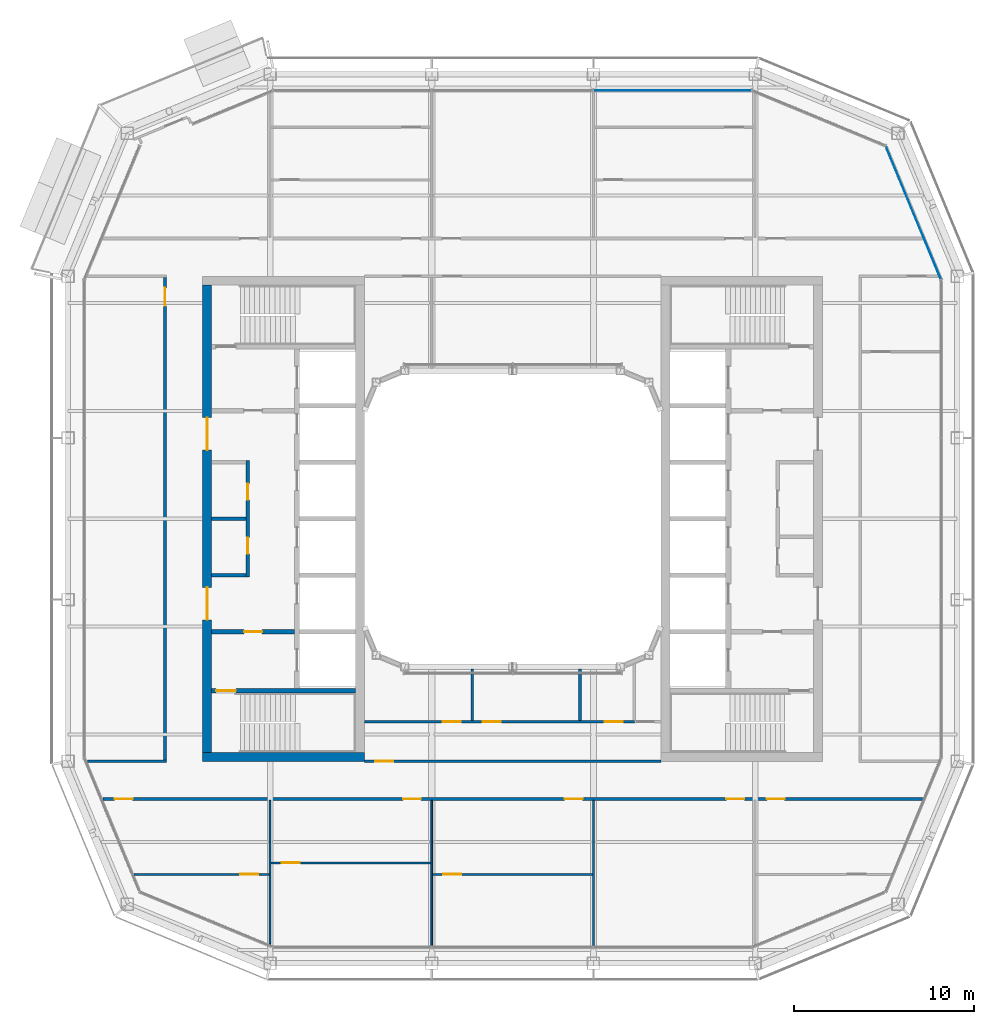
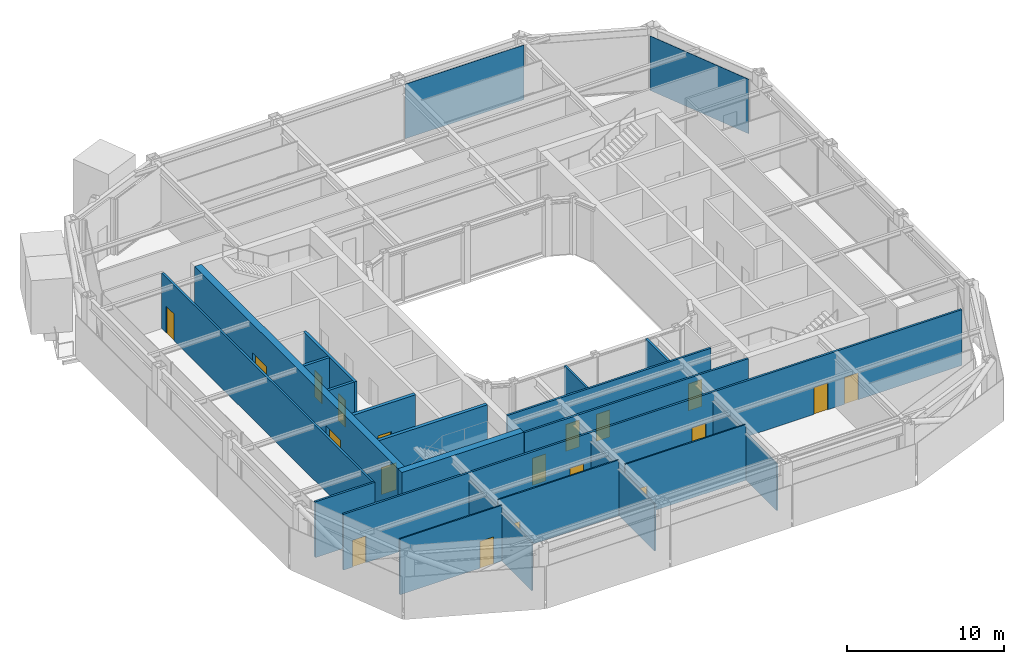
# One storey, part 12 of 22: 20 walls, 19 doors, 2 plates, 19 openings, 2 elements without a shape of their own.
"""IFC4 building model written with IfcOpenShell, lengths in metres."""

from ifc_helpers import new_model, si_unit, direction, frame, frame_2d, origin, origin_2d, place, context, subcontext, project, spatial, rectangle, extrude, material, layer, layer_set, type_object, element, fill, aggregate, save


model = new_model("IFC4")

# Units and contexts
model_context = context("Model", 3, precision=1e-05, world=origin(), true_north=direction((0.0, 1.0)))
body_context = subcontext(model_context, "Body", "Model", "MODEL_VIEW")
ifc_project = project(units=[si_unit("LENGTHUNIT", "METRE"), si_unit("AREAUNIT", "SQUARE_METRE"), si_unit("VOLUMEUNIT", "CUBIC_METRE"), si_unit("PLANEANGLEUNIT", "RADIAN"), si_unit("MASSUNIT", "GRAM", prefix="KILO")], contexts=[model_context])

# Site, building, storey
site_placement = place(None, origin())
site = spatial("IfcSite", under=ifc_project, at=site_placement, CompositionType="ELEMENT")
building_placement = place(site_placement, origin())
building = spatial("IfcBuilding", under=site, at=building_placement, Name="Siwar Civic Tower", CompositionType="ELEMENT")
storey_placement = place(building_placement, frame((0.0, 0.0, 330.199951171875)))
storey = spatial("IfcBuildingStorey", under=building, at=storey_placement, Name="L71", CompositionType="ELEMENT", Elevation=330.199951171875)

# Curtain wall, plate
ifc_material_1 = material(Name="Aluminium and glass", Category="aluminium")
ifc_layer_1 = layer(ifc_material_1, 0.159912109375)
ifc_layer_set_1 = layer_set([ifc_layer_1], Name="Aluminium and glass")
curtain_wall_type_1 = type_object("IfcCurtainWallType", Name="ENV-CW-D", PredefinedType="NOTDEFINED", material=ifc_layer_set_1)
curtain_wall_1_placement = place(storey_placement, origin())
curtain_wall_1 = element("IfcCurtainWall", 1, at=curtain_wall_1_placement, inside=storey, type_object=curtain_wall_type_1, Name="Curtain wall D N", PredefinedType="NOTDEFINED")
ifc_material_2 = material(Name="Glass clear laminated", Category="glass")
ifc_layer_2 = layer(ifc_material_2, 0.030029296875)
ifc_layer_set_2 = layer_set([ifc_layer_2], Name="Glass clear laminated")
plate_type_1 = type_object("IfcPlateType", Name="ENV-PANEL-D", PredefinedType="CURTAIN_PANEL", material=ifc_layer_set_2)
plate_1_placement = place(storey_placement, frame((8.910400390625, 23.85009765625, 0.10009765625), z_axis=(0.0, 0.0, 1.0), x_axis=(-1.0, 0.0, 0.0)))
plate_1 = element("IfcPlate", 2, at=plate_1_placement, type_object=plate_type_1, Name="Curtain panel D N 1", PredefinedType="CURTAIN_PANEL", context=body_context, shape_type="SweptSolid", body=[
    extrude(rectangle(XDim=8.760986328125, YDim=0.030029296875, at=origin_2d()), origin(), (0.0, 0.0, 1.0), 4.25),
])
aggregate(curtain_wall_1, [plate_1])

ifc_material_3 = material(Name="Aluminium clad insulated panel", Category="aluminium")
ifc_layer_3 = layer(ifc_material_3, 0.159912109375)
ifc_layer_set_3 = layer_set([ifc_layer_3], Name="Aluminium clad insulated panel")
curtain_wall_type_2 = type_object("IfcCurtainWallType", Name="ENV-CW-DX", PredefinedType="NOTDEFINED", material=ifc_layer_set_3)
curtain_wall_2_placement = place(storey_placement, origin())
curtain_wall_2 = element("IfcCurtainWall", 3, at=curtain_wall_2_placement, inside=storey, type_object=curtain_wall_type_2, Name="Curtain wall D NE1", PredefinedType="NOTDEFINED")
ifc_material_4 = material(Name="Aluminium clad insulated panel", Category="aluminium")
ifc_layer_4 = layer(ifc_material_4, 0.030029296875)
ifc_layer_set_4 = layer_set([ifc_layer_4], Name="Aluminium clad insulated panel")
plate_type_2 = type_object("IfcPlateType", Name="ENV-PANEL-DX", PredefinedType="CURTAIN_PANEL", material=ifc_layer_set_4)
plate_2_placement = place(storey_placement, frame((22.321044921875, 17.01220703125, 0.10009765625), z_axis=(0.0, 0.0, 1.0), x_axis=(-0.382683432365, 0.923879532511, 0.0)))
plate_2 = element("IfcPlate", 4, at=plate_2_placement, type_object=plate_type_2, Name="Curtain panel D NE1 1", PredefinedType="CURTAIN_PANEL", context=body_context, shape_type="SweptSolid", body=[
    extrude(rectangle(XDim=7.9306640625, YDim=0.030029296875, at=origin_2d()), origin(), (0.0, 0.0, 1.0), 4.25),
])
aggregate(curtain_wall_2, [plate_2])

# Wall, openings, doors
ifc_material_5 = material(Name="Gypsum board on steel studs", Category="steel")
ifc_layer_5 = layer(ifc_material_5, 0.199951171875)
ifc_layer_set_5 = layer_set([ifc_layer_5], Name="Gypsum board on steel studs")
wall_type_1 = type_object("IfcWallType", Name="CORE-PARTITION-200", PredefinedType="PARTITIONING", material=ifc_layer_set_5)
wall_1_placement = place(storey_placement, frame((-14.75, -3.25, 0.0), z_axis=(0.0, 0.0, 1.0), x_axis=(0.0, 1.0, 0.0)))
wall_1 = element("IfcWall", 5, at=wall_1_placement, inside=storey, type_object=wall_type_1, Name="Core partition W", PredefinedType="PARTITIONING", context=body_context, shape_type="SweptSolid", body=[
    extrude(rectangle(XDim=6.5, YDim=0.199951171875, at=frame_2d((3.25, 0.0))), origin(), (0.0, 0.0, 1.0), 4.35009765625),
])
opening_1_placement = place(wall_1_placement, frame((1.300048828125, 0.0, 0.0)))
opening_1 = element("IfcOpeningElement", 6, at=opening_1_placement, cuts=wall_1, Name="Opening L71-CW13", PredefinedType="OPENING", context=body_context, shape_type="SweptSolid", body=[
    extrude(rectangle(XDim=0.89990234375, YDim=2.10009765625, at=frame_2d((0.449951171875, 1.050048828125))), frame((0.0, 0.10986328125, 0.0), z_axis=(0.0, -1.0, 0.0), x_axis=(1.0, 0.0, 0.0)), (0.0, 0.0, 1.0), 0.219970703125),
])
opening_2_placement = place(wall_1_placement, frame((4.300048828125, 0.0, 0.0)))
opening_2 = element("IfcOpeningElement", 7, at=opening_2_placement, cuts=wall_1, Name="Opening L71-CW14", PredefinedType="OPENING", context=body_context, shape_type="SweptSolid", body=[
    extrude(rectangle(XDim=0.89990234375, YDim=2.10009765625, at=frame_2d((0.449951171875, 1.050048828125))), frame((0.0, 0.10986328125, 0.0), z_axis=(0.0, -1.0, 0.0), x_axis=(1.0, 0.0, 0.0)), (0.0, 0.0, 1.0), 0.219970703125),
])
ifc_material_6 = material(Name="Steel door leaf", Category="steel")
door_type_1 = type_object("IfcDoorType", Name="CORE-DOOR-ROOM", OperationType="SINGLE_SWING_LEFT", PredefinedType="DOOR", material=ifc_material_6)
door_1_placement = place(opening_1_placement, origin())
door_1 = element("IfcDoor", 8, at=door_1_placement, inside=storey, type_object=door_type_1, Name="Core room door L71-CW13", OperationType="SINGLE_SWING_LEFT", OverallHeight=2.10009765625, OverallWidth=0.89990234375, PredefinedType="DOOR", context=body_context, shape_type="SweptSolid", body=[
    extrude(rectangle(XDim=0.89990234375, YDim=2.10009765625, at=frame_2d((0.449951171875, 1.050048828125))), frame((0.0, 0.02490234375, 0.0), z_axis=(0.0, -1.0, 0.0), x_axis=(1.0, 0.0, 0.0)), (0.0, 0.0, 1.0), 0.050048828125),
])
fill(opening_1, door_1)
door_2_placement = place(opening_2_placement, origin())
door_2 = element("IfcDoor", 9, at=door_2_placement, inside=storey, type_object=door_type_1, Name="Core room door L71-CW14", OperationType="SINGLE_SWING_RIGHT", OverallHeight=2.10009765625, OverallWidth=0.89990234375, PredefinedType="DOOR", context=body_context, shape_type="SweptSolid", body=[
    extrude(rectangle(XDim=0.89990234375, YDim=2.10009765625, at=frame_2d((0.449951171875, 1.050048828125))), frame((0.0, 0.02490234375, 0.0), z_axis=(0.0, -1.0, 0.0), x_axis=(1.0, 0.0, 0.0)), (0.0, 0.0, 1.0), 0.050048828125),
])
fill(opening_2, door_2)

# Walls
for number, where, z_axis, x_axis, name in (
    (10, (-14.85009765625, -3.14990234375, 0.0), (0.0, 0.0, 1.0), (-1.0, 0.0, 0.0), "Core partition W"),
    (11, (-14.85009765625, 0.0, 0.0), (0.0, 0.0, 1.0), (-1.0, 0.0, 0.0), "Core partition W"),
):
    element("IfcWall", number, at=place(storey_placement, frame(where, z_axis=z_axis, x_axis=x_axis)), inside=storey, type_object=wall_type_1, Name=name, PredefinedType="PARTITIONING", context=body_context, shape_type="SweptSolid", body=[
        extrude(rectangle(XDim=1.89990234375, YDim=0.199951171875, at=frame_2d((0.949951171875, 0.0))), origin(), (0.0, 0.0, 1.0), 4.35009765625),
    ])

# Wall, opening, door
ifc_material_7 = material(Name="Concrete C60/75", Category="concrete")
ifc_layer_6 = layer(ifc_material_7, 0.25)
ifc_layer_set_6 = layer_set([ifc_layer_6], Name="Concrete C60/75")
wall_type_2 = type_object("IfcWallType", Name="CORE-WALL-RC250", PredefinedType="SHEAR", material=ifc_layer_set_6)
wall_2_placement = place(storey_placement, frame((-12.14990234375, -6.300048828125, 0.0), z_axis=(0.0, 0.0, 1.0), x_axis=(-1.0, 0.0, 0.0)))
wall_2 = element("IfcWall", 12, at=wall_2_placement, inside=storey, type_object=wall_type_2, Name="Core wall W", PredefinedType="SHEAR", context=body_context, shape_type="SweptSolid", body=[
    extrude(rectangle(XDim=4.60009765625, YDim=0.25, at=frame_2d((2.300048828125, 0.0))), origin(), (0.0, 0.0, 1.0), 4.35009765625),
])
opening_3_placement = place(wall_2_placement, frame((1.800048828125, 0.0, 0.0)))
opening_3 = element("IfcOpeningElement", 13, at=opening_3_placement, cuts=wall_2, Name="Opening L71-CW02", PredefinedType="OPENING", context=body_context, shape_type="SweptSolid", body=[
    extrude(rectangle(XDim=1.0, YDim=2.10009765625, at=frame_2d((0.5, 1.050048828125))), frame((0.0, 0.135009765625, 0.0), z_axis=(0.0, -1.0, 0.0), x_axis=(1.0, 0.0, 0.0)), (0.0, 0.0, 1.0), 0.27001953125),
])
ifc_material_8 = material(Name="Steel door leaf", Category="steel")
door_type_2 = type_object("IfcDoorType", Name="CORE-DOOR-FD30S", OperationType="SINGLE_SWING_LEFT", PredefinedType="DOOR", material=ifc_material_8)
door_3_placement = place(opening_3_placement, origin())
door_3 = element("IfcDoor", 14, at=door_3_placement, inside=storey, type_object=door_type_2, Name="Service lobby door L71-CW02", OperationType="SINGLE_SWING_RIGHT", OverallHeight=2.10009765625, OverallWidth=1.0, PredefinedType="DOOR", context=body_context, shape_type="SweptSolid", body=[
    extrude(rectangle(XDim=1.0, YDim=2.10009765625, at=frame_2d((0.5, 1.050048828125))), frame((0.0, 0.02490234375, 0.0), z_axis=(0.0, -1.0, 0.0), x_axis=(1.0, 0.0, 0.0)), (0.0, 0.0, 1.0), 0.050048828125),
])
fill(opening_3, door_3)

wall_3_placement = place(storey_placement, frame((-8.75, -9.574951171875, 0.0), z_axis=(0.0, 0.0, 1.0), x_axis=(-1.0, 0.0, 0.0)))
wall_3 = element("IfcWall", 15, at=wall_3_placement, inside=storey, type_object=wall_type_2, Name="Core wall W", PredefinedType="SHEAR", context=body_context, shape_type="SweptSolid", body=[
    extrude(rectangle(XDim=8.0, YDim=0.25, at=frame_2d((4.0, 0.0))), origin(), (0.0, 0.0, 1.0), 4.35009765625),
])
opening_4_placement = place(wall_3_placement, frame((6.64990234375, 0.0, 0.0)))
opening_4 = element("IfcOpeningElement", 16, at=opening_4_placement, cuts=wall_3, Name="Opening L71-CW04", PredefinedType="OPENING", context=body_context, shape_type="SweptSolid", body=[
    extrude(rectangle(XDim=1.10009765625, YDim=2.10009765625, at=frame_2d((0.550048828125, 1.050048828125))), frame((0.0, 0.135009765625, 0.0), z_axis=(0.0, -1.0, 0.0), x_axis=(1.0, 0.0, 0.0)), (0.0, 0.0, 1.0), 0.27001953125),
])
ifc_material_9 = material(Name="Steel door leaf", Category="steel")
door_type_3 = type_object("IfcDoorType", Name="CORE-DOOR-FD60S", OperationType="SINGLE_SWING_LEFT", PredefinedType="DOOR", material=ifc_material_9)
door_4_placement = place(opening_4_placement, origin())
door_4 = element("IfcDoor", 17, at=door_4_placement, inside=storey, type_object=door_type_3, Name="Stair door L71-CW04", OperationType="SINGLE_SWING_LEFT", OverallHeight=2.10009765625, OverallWidth=1.10009765625, PredefinedType="DOOR", context=body_context, shape_type="SweptSolid", body=[
    extrude(rectangle(XDim=1.10009765625, YDim=2.10009765625, at=frame_2d((0.550048828125, 1.050048828125))), frame((0.0, 0.02490234375, 0.0), z_axis=(0.0, -1.0, 0.0), x_axis=(1.0, 0.0, 0.0)), (0.0, 0.0, 1.0), 0.050048828125),
])
fill(opening_4, door_4)

# Wall, openings, doors
ifc_material_10 = material(Name="Concrete C60/75", Category="concrete")
ifc_layer_7 = layer(ifc_material_10, 0.5)
ifc_layer_set_7 = layer_set([ifc_layer_7], Name="Concrete C60/75")
wall_type_3 = type_object("IfcWallType", Name="CORE-WALL-RC500", PredefinedType="SHEAR", material=ifc_layer_set_7)
wall_4_placement = place(storey_placement, frame((-17.0, -13.0, 0.0), z_axis=(0.0, 0.0, 1.0), x_axis=(0.0, 1.0, 0.0)))
wall_4 = element("IfcWall", 18, at=wall_4_placement, inside=storey, type_object=wall_type_3, Name="Core wall W", PredefinedType="SHEAR", context=body_context, shape_type="SweptSolid", body=[
    extrude(rectangle(XDim=26.0, YDim=0.5, at=frame_2d((13.0, 0.0))), origin(), (0.0, 0.0, 1.0), 4.35009765625),
])
opening_5_placement = place(wall_4_placement, frame((16.824951171875, 0.0, 0.0)))
opening_5 = element("IfcOpeningElement", 19, at=opening_5_placement, cuts=wall_4, Name="Opening L71-CW05", PredefinedType="OPENING", context=body_context, shape_type="SweptSolid", body=[
    extrude(rectangle(XDim=1.800048828125, YDim=2.10009765625, at=frame_2d((0.89990234375, 1.050048828125))), frame((0.0, 0.260009765625, 0.0), z_axis=(0.0, -1.0, 0.0), x_axis=(1.0, 0.0, 0.0)), (0.0, 0.0, 1.0), 0.52001953125),
])
opening_6_placement = place(wall_4_placement, frame((7.375, 0.0, 0.0)))
opening_6 = element("IfcOpeningElement", 20, at=opening_6_placement, cuts=wall_4, Name="Opening L71-CW06", PredefinedType="OPENING", context=body_context, shape_type="SweptSolid", body=[
    extrude(rectangle(XDim=1.800048828125, YDim=2.10009765625, at=frame_2d((0.89990234375, 1.050048828125))), frame((0.0, 0.260009765625, 0.0), z_axis=(0.0, -1.0, 0.0), x_axis=(1.0, 0.0, 0.0)), (0.0, 0.0, 1.0), 0.52001953125),
])
ifc_material_11 = material(Name="Steel door leaf", Category="steel")
door_type_4 = type_object("IfcDoorType", Name="CORE-DOOR-PORT", OperationType="DOUBLE_DOOR_DOUBLE_SWING", PredefinedType="DOOR", material=ifc_material_11)
door_5_placement = place(opening_5_placement, origin())
door_5 = element("IfcDoor", 21, at=door_5_placement, inside=storey, type_object=door_type_4, Name="Core entrance door L71-CW05", OperationType="DOUBLE_DOOR_DOUBLE_SWING", OverallHeight=2.10009765625, OverallWidth=1.800048828125, PredefinedType="DOOR", context=body_context, shape_type="SweptSolid", body=[
    extrude(rectangle(XDim=1.800048828125, YDim=2.10009765625, at=frame_2d((0.89990234375, 1.050048828125))), frame((0.0, 0.02490234375, 0.0), z_axis=(0.0, -1.0, 0.0), x_axis=(1.0, 0.0, 0.0)), (0.0, 0.0, 1.0), 0.050048828125),
])
fill(opening_5, door_5)
door_6_placement = place(opening_6_placement, origin())
door_6 = element("IfcDoor", 22, at=door_6_placement, inside=storey, type_object=door_type_4, Name="Core entrance door L71-CW06", OperationType="DOUBLE_DOOR_DOUBLE_SWING", OverallHeight=2.10009765625, OverallWidth=1.800048828125, PredefinedType="DOOR", context=body_context, shape_type="SweptSolid", body=[
    extrude(rectangle(XDim=1.800048828125, YDim=2.10009765625, at=frame_2d((0.89990234375, 1.050048828125))), frame((0.0, 0.02490234375, 0.0), z_axis=(0.0, -1.0, 0.0), x_axis=(1.0, 0.0, 0.0)), (0.0, 0.0, 1.0), 0.050048828125),
])
fill(opening_6, door_6)

# Wall
wall_5_placement = place(storey_placement, frame((-8.25, -13.25, 0.0), z_axis=(0.0, 0.0, 1.0), x_axis=(-1.0, 0.0, 0.0)))
element("IfcWall", 23, at=wall_5_placement, inside=storey, type_object=wall_type_3, Name="Core wall W", PredefinedType="SHEAR", context=body_context, shape_type="SweptSolid", body=[
    extrude(rectangle(XDim=9.0, YDim=0.5, at=frame_2d((4.5, 0.0))), origin(), (0.0, 0.0, 1.0), 4.35009765625),
])

# Wall, openings, doors
ifc_material_12 = material(Name="Gypsum board on steel studs", Category="steel")
ifc_layer_8 = layer(ifc_material_12, 0.14990234375)
ifc_layer_set_8 = layer_set([ifc_layer_8], Name="Gypsum board on steel studs")
wall_type_4 = type_object("IfcWallType", Name="CORRIDOR PARTITION 150 EI 30", PredefinedType="PARTITIONING", material=ifc_layer_set_8)
wall_6_placement = place(storey_placement, frame((-22.80810546875, -15.60009765625, 0.0), z_axis=(0.0, 0.0, 1.0), x_axis=(1.0, 0.0, 0.0)))
wall_6 = element("IfcWall", 24, at=wall_6_placement, inside=storey, type_object=wall_type_4, Name="L71/wall/P05", PredefinedType="PARTITIONING", context=body_context, shape_type="SweptSolid", body=[
    extrude(rectangle(XDim=45.6162109375, YDim=0.14990234375, at=frame_2d((22.80810546875, 0.0))), origin(), (0.0, 0.0, 1.0), 4.35009765625),
])
opening_7_placement = place(wall_6_placement, frame((16.7080078125, 0.0, 0.0)))
opening_7 = element("IfcOpeningElement", 25, at=opening_7_placement, cuts=wall_6, Name="Opening D1", PredefinedType="OPENING", context=body_context, shape_type="SweptSolid", body=[
    extrude(rectangle(XDim=1.0, YDim=2.10009765625, at=frame_2d((0.5, 1.050048828125))), frame((0.0, 0.0849609375, 0.0), z_axis=(0.0, -1.0, 0.0), x_axis=(1.0, 0.0, 0.0)), (0.0, 0.0, 1.0), 0.169921875),
])
opening_8_placement = place(wall_6_placement, frame((25.7080078125, 0.0, 0.0)))
opening_8 = element("IfcOpeningElement", 26, at=opening_8_placement, cuts=wall_6, Name="Opening D1", PredefinedType="OPENING", context=body_context, shape_type="SweptSolid", body=[
    extrude(rectangle(XDim=1.0, YDim=2.10009765625, at=frame_2d((0.5, 1.050048828125))), frame((0.0, 0.0849609375, 0.0), z_axis=(0.0, -1.0, 0.0), x_axis=(1.0, 0.0, 0.0)), (0.0, 0.0, 1.0), 0.169921875),
])
opening_9_placement = place(wall_6_placement, frame((34.7080078125, 0.0, 0.0)))
opening_9 = element("IfcOpeningElement", 27, at=opening_9_placement, cuts=wall_6, Name="Opening D1", PredefinedType="OPENING", context=body_context, shape_type="SweptSolid", body=[
    extrude(rectangle(XDim=1.0, YDim=2.10009765625, at=frame_2d((0.5, 1.050048828125))), frame((0.0, 0.0849609375, 0.0), z_axis=(0.0, -1.0, 0.0), x_axis=(1.0, 0.0, 0.0)), (0.0, 0.0, 1.0), 0.169921875),
])
opening_10_placement = place(wall_6_placement, frame((0.64990234375, 0.0, 0.0)))
opening_10 = element("IfcOpeningElement", 28, at=opening_10_placement, cuts=wall_6, Name="Opening D1", PredefinedType="OPENING", context=body_context, shape_type="SweptSolid", body=[
    extrude(rectangle(XDim=1.0, YDim=2.10009765625, at=frame_2d((0.5, 1.050048828125))), frame((0.0, 0.0849609375, 0.0), z_axis=(0.0, -1.0, 0.0), x_axis=(1.0, 0.0, 0.0)), (0.0, 0.0, 1.0), 0.169921875),
])
opening_11_placement = place(wall_6_placement, frame((36.9580078125, 0.0, 0.0)))
opening_11 = element("IfcOpeningElement", 29, at=opening_11_placement, cuts=wall_6, Name="Opening D1", PredefinedType="OPENING", context=body_context, shape_type="SweptSolid", body=[
    extrude(rectangle(XDim=1.0, YDim=2.10009765625, at=frame_2d((0.5, 1.050048828125))), frame((0.0, 0.0849609375, 0.0), z_axis=(0.0, -1.0, 0.0), x_axis=(1.0, 0.0, 0.0)), (0.0, 0.0, 1.0), 0.169921875),
])
ifc_material_13 = material(Name="Timber, painted", Category="wood")
door_type_5 = type_object("IfcDoorType", Name="DOOR 1000 X 2100 FD30", OperationType="SINGLE_SWING_LEFT", PredefinedType="DOOR", material=ifc_material_13)
door_7_placement = place(opening_7_placement, origin())
door_7 = element("IfcDoor", 30, at=door_7_placement, inside=storey, type_object=door_type_5, Name="L71-D08", OperationType="SINGLE_SWING_RIGHT", OverallHeight=2.10009765625, OverallWidth=1.0, PredefinedType="DOOR", context=body_context, shape_type="SweptSolid", body=[
    extrude(rectangle(XDim=1.0, YDim=2.10009765625, at=frame_2d((0.5, 1.050048828125))), frame((0.0, 0.02490234375, 0.0), z_axis=(0.0, -1.0, 0.0), x_axis=(1.0, 0.0, 0.0)), (0.0, 0.0, 1.0), 0.050048828125),
])
fill(opening_7, door_7)
door_8_placement = place(opening_8_placement, origin())
door_8 = element("IfcDoor", 31, at=door_8_placement, inside=storey, type_object=door_type_5, Name="L71-D10", OperationType="SINGLE_SWING_RIGHT", OverallHeight=2.10009765625, OverallWidth=1.0, PredefinedType="DOOR", context=body_context, shape_type="SweptSolid", body=[
    extrude(rectangle(XDim=1.0, YDim=2.10009765625, at=frame_2d((0.5, 1.050048828125))), frame((0.0, 0.02490234375, 0.0), z_axis=(0.0, -1.0, 0.0), x_axis=(1.0, 0.0, 0.0)), (0.0, 0.0, 1.0), 0.050048828125),
])
fill(opening_8, door_8)
door_9_placement = place(opening_9_placement, origin())
door_9 = element("IfcDoor", 32, at=door_9_placement, inside=storey, type_object=door_type_5, Name="L71-D12", OperationType="SINGLE_SWING_RIGHT", OverallHeight=2.10009765625, OverallWidth=1.0, PredefinedType="DOOR", context=body_context, shape_type="SweptSolid", body=[
    extrude(rectangle(XDim=1.0, YDim=2.10009765625, at=frame_2d((0.5, 1.050048828125))), frame((0.0, 0.02490234375, 0.0), z_axis=(0.0, -1.0, 0.0), x_axis=(1.0, 0.0, 0.0)), (0.0, 0.0, 1.0), 0.050048828125),
])
fill(opening_9, door_9)
door_10_placement = place(opening_10_placement, origin())
door_10 = element("IfcDoor", 33, at=door_10_placement, inside=storey, type_object=door_type_5, Name="L71-D15", OperationType="SINGLE_SWING_LEFT", OverallHeight=2.10009765625, OverallWidth=1.0, PredefinedType="DOOR", context=body_context, shape_type="SweptSolid", body=[
    extrude(rectangle(XDim=1.0, YDim=2.10009765625, at=frame_2d((0.5, 1.050048828125))), frame((0.0, 0.02490234375, 0.0), z_axis=(0.0, -1.0, 0.0), x_axis=(1.0, 0.0, 0.0)), (0.0, 0.0, 1.0), 0.050048828125),
])
fill(opening_10, door_10)
door_11_placement = place(opening_11_placement, origin())
door_11 = element("IfcDoor", 34, at=door_11_placement, inside=storey, type_object=door_type_5, Name="L71-D17", OperationType="SINGLE_SWING_LEFT", OverallHeight=2.10009765625, OverallWidth=1.0, PredefinedType="DOOR", context=body_context, shape_type="SweptSolid", body=[
    extrude(rectangle(XDim=1.0, YDim=2.10009765625, at=frame_2d((0.5, 1.050048828125))), frame((0.0, 0.02490234375, 0.0), z_axis=(0.0, -1.0, 0.0), x_axis=(1.0, 0.0, 0.0)), (0.0, 0.0, 1.0), 0.050048828125),
])
fill(opening_11, door_11)

# Wall
wall_7_placement = place(storey_placement, frame((-23.677978515625, -13.5, 0.0), z_axis=(0.0, 0.0, 1.0), x_axis=(1.0, 0.0, 0.0)))
element("IfcWall", 35, at=wall_7_placement, inside=storey, type_object=wall_type_4, Name="L71/wall/P06", PredefinedType="PARTITIONING", context=body_context, shape_type="SweptSolid", body=[
    extrude(rectangle(XDim=4.403076171875, YDim=0.14990234375, at=frame_2d((2.20166015625, 0.0))), origin(), (0.0, 0.0, 1.0), 4.35009765625),
])

# Wall, opening, door
wall_8_placement = place(storey_placement, frame((-8.25, -13.5, 0.0), z_axis=(0.0, 0.0, 1.0), x_axis=(1.0, 0.0, 0.0)))
wall_8 = element("IfcWall", 36, at=wall_8_placement, inside=storey, type_object=wall_type_4, Name="L71/wall/P07", PredefinedType="PARTITIONING", context=body_context, shape_type="SweptSolid", body=[
    extrude(rectangle(XDim=16.5, YDim=0.14990234375, at=frame_2d((8.25, 0.0))), origin(), (0.0, 0.0, 1.0), 4.35009765625),
])
opening_12_placement = place(wall_8_placement, frame((0.60009765625, 0.0, 0.0)))
opening_12 = element("IfcOpeningElement", 37, at=opening_12_placement, cuts=wall_8, Name="Opening D1", PredefinedType="OPENING", context=body_context, shape_type="SweptSolid", body=[
    extrude(rectangle(XDim=1.0, YDim=2.10009765625, at=frame_2d((0.5, 1.050048828125))), frame((0.0, 0.0849609375, 0.0), z_axis=(0.0, -1.0, 0.0), x_axis=(1.0, 0.0, 0.0)), (0.0, 0.0, 1.0), 0.169921875),
])
door_12_placement = place(opening_12_placement, origin())
door_12 = element("IfcDoor", 38, at=door_12_placement, inside=storey, type_object=door_type_5, Name="L71-D24", OperationType="SINGLE_SWING_RIGHT", OverallHeight=2.10009765625, OverallWidth=1.0, PredefinedType="DOOR", context=body_context, shape_type="SweptSolid", body=[
    extrude(rectangle(XDim=1.0, YDim=2.10009765625, at=frame_2d((0.5, 1.050048828125))), frame((0.0, 0.02490234375, 0.0), z_axis=(0.0, -1.0, 0.0), x_axis=(1.0, 0.0, 0.0)), (0.0, 0.0, 1.0), 0.050048828125),
])
fill(opening_12, door_12)

# Wall, openings, doors
wall_9_placement = place(storey_placement, frame((-8.25, -11.300048828125, 0.0), z_axis=(0.0, 0.0, 1.0), x_axis=(1.0, 0.0, 0.0)))
wall_9 = element("IfcWall", 39, at=wall_9_placement, inside=storey, type_object=wall_type_4, Name="L71/wall/P09", PredefinedType="PARTITIONING", context=body_context, shape_type="SweptSolid", body=[
    extrude(rectangle(XDim=15.030029296875, YDim=0.14990234375, at=frame_2d((7.51513671875, 0.0))), origin(), (0.0, 0.0, 1.0), 4.35009765625),
])
opening_13_placement = place(wall_9_placement, frame((4.35009765625, 0.0, 0.0)))
opening_13 = element("IfcOpeningElement", 40, at=opening_13_placement, cuts=wall_9, Name="Opening D3", PredefinedType="OPENING", context=body_context, shape_type="SweptSolid", body=[
    extrude(rectangle(XDim=1.0, YDim=2.10009765625, at=frame_2d((0.5, 1.050048828125))), frame((0.0, 0.0849609375, 0.0), z_axis=(0.0, -1.0, 0.0), x_axis=(1.0, 0.0, 0.0)), (0.0, 0.0, 1.0), 0.169921875),
])
opening_14_placement = place(wall_9_placement, frame((6.60009765625, 0.0, 0.0)))
opening_14 = element("IfcOpeningElement", 41, at=opening_14_placement, cuts=wall_9, Name="Opening D3", PredefinedType="OPENING", context=body_context, shape_type="SweptSolid", body=[
    extrude(rectangle(XDim=1.0, YDim=2.10009765625, at=frame_2d((0.5, 1.050048828125))), frame((0.0, 0.0849609375, 0.0), z_axis=(0.0, -1.0, 0.0), x_axis=(1.0, 0.0, 0.0)), (0.0, 0.0, 1.0), 0.169921875),
])
opening_15_placement = place(wall_9_placement, frame((13.3798828125, 0.0, 0.0)))
opening_15 = element("IfcOpeningElement", 42, at=opening_15_placement, cuts=wall_9, Name="Opening D3", PredefinedType="OPENING", context=body_context, shape_type="SweptSolid", body=[
    extrude(rectangle(XDim=1.0, YDim=2.10009765625, at=frame_2d((0.5, 1.050048828125))), frame((0.0, 0.0849609375, 0.0), z_axis=(0.0, -1.0, 0.0), x_axis=(1.0, 0.0, 0.0)), (0.0, 0.0, 1.0), 0.169921875),
])
ifc_material_14 = material(Name="Timber, painted", Category="wood")
door_type_6 = type_object("IfcDoorType", Name="DOOR 1000 X 2100 WC", OperationType="SINGLE_SWING_LEFT", PredefinedType="DOOR", material=ifc_material_14)
door_13_placement = place(opening_13_placement, origin())
door_13 = element("IfcDoor", 43, at=door_13_placement, inside=storey, type_object=door_type_6, Name="L71-D25", OperationType="SINGLE_SWING_LEFT", OverallHeight=2.10009765625, OverallWidth=1.0, PredefinedType="DOOR", context=body_context, shape_type="SweptSolid", body=[
    extrude(rectangle(XDim=1.0, YDim=2.10009765625, at=frame_2d((0.5, 1.050048828125))), frame((0.0, 0.02490234375, 0.0), z_axis=(0.0, -1.0, 0.0), x_axis=(1.0, 0.0, 0.0)), (0.0, 0.0, 1.0), 0.050048828125),
])
fill(opening_13, door_13)
door_14_placement = place(opening_14_placement, origin())
door_14 = element("IfcDoor", 44, at=door_14_placement, inside=storey, type_object=door_type_6, Name="L71-D26", OperationType="SINGLE_SWING_RIGHT", OverallHeight=2.10009765625, OverallWidth=1.0, PredefinedType="DOOR", context=body_context, shape_type="SweptSolid", body=[
    extrude(rectangle(XDim=1.0, YDim=2.10009765625, at=frame_2d((0.5, 1.050048828125))), frame((0.0, 0.02490234375, 0.0), z_axis=(0.0, -1.0, 0.0), x_axis=(1.0, 0.0, 0.0)), (0.0, 0.0, 1.0), 0.050048828125),
])
fill(opening_14, door_14)
door_15_placement = place(opening_15_placement, origin())
door_15 = element("IfcDoor", 45, at=door_15_placement, inside=storey, type_object=door_type_6, Name="L71-D27", OperationType="SINGLE_SWING_LEFT", OverallHeight=2.10009765625, OverallWidth=1.0, PredefinedType="DOOR", context=body_context, shape_type="SweptSolid", body=[
    extrude(rectangle(XDim=1.0, YDim=2.10009765625, at=frame_2d((0.5, 1.050048828125))), frame((0.0, 0.02490234375, 0.0), z_axis=(0.0, -1.0, 0.0), x_axis=(1.0, 0.0, 0.0)), (0.0, 0.0, 1.0), 0.050048828125),
])
fill(opening_15, door_15)

# Wall, opening, door
wall_10_placement = place(storey_placement, frame((-19.35009765625, -13.425048828125, 0.0), z_axis=(0.0, 0.0, 1.0), x_axis=(0.0, 1.0, 0.0)))
wall_10 = element("IfcWall", 46, at=wall_10_placement, inside=storey, type_object=wall_type_4, Name="L71/wall/P20", PredefinedType="PARTITIONING", context=body_context, shape_type="SweptSolid", body=[
    extrude(rectangle(XDim=26.85009765625, YDim=0.14990234375, at=frame_2d((13.425048828125, 0.0))), origin(), (0.0, 0.0, 1.0), 4.35009765625),
])
opening_16_placement = place(wall_10_placement, frame((25.27490234375, 0.0, 0.0)))
opening_16 = element("IfcOpeningElement", 47, at=opening_16_placement, cuts=wall_10, Name="Opening D1", PredefinedType="OPENING", context=body_context, shape_type="SweptSolid", body=[
    extrude(rectangle(XDim=1.0, YDim=2.10009765625, at=frame_2d((0.5, 1.050048828125))), frame((0.0, 0.0849609375, 0.0), z_axis=(0.0, -1.0, 0.0), x_axis=(1.0, 0.0, 0.0)), (0.0, 0.0, 1.0), 0.169921875),
])
door_16_placement = place(opening_16_placement, origin())
door_16 = element("IfcDoor", 48, at=door_16_placement, inside=storey, type_object=door_type_5, Name="L71-D19", OperationType="SINGLE_SWING_LEFT", OverallHeight=2.10009765625, OverallWidth=1.0, PredefinedType="DOOR", context=body_context, shape_type="SweptSolid", body=[
    extrude(rectangle(XDim=1.0, YDim=2.10009765625, at=frame_2d((0.5, 1.050048828125))), frame((0.0, 0.02490234375, 0.0), z_axis=(0.0, -1.0, 0.0), x_axis=(1.0, 0.0, 0.0)), (0.0, 0.0, 1.0), 0.050048828125),
])
fill(opening_16, door_16)

# Walls
for number, where, z_axis, x_axis, name in (
    (49, (-2.25, -11.22509765625, 0.0), (0.0, 0.0, 1.0), (0.0, 1.0, 0.0), "L71/wall/P26"),
    (50, (3.75, -11.22509765625, 0.0), (0.0, 0.0, 1.0), (0.0, 1.0, 0.0), "L71/wall/P27"),
):
    element("IfcWall", number, at=place(storey_placement, frame(where, z_axis=z_axis, x_axis=x_axis)), inside=storey, type_object=wall_type_4, Name=name, PredefinedType="PARTITIONING", context=body_context, shape_type="SweptSolid", body=[
        extrude(rectangle(XDim=2.85498046875, YDim=0.14990234375, at=frame_2d((1.427490234375, 0.0))), origin(), (0.0, 0.0, 1.0), 4.35009765625),
    ])

# Wall, opening, door
ifc_material_15 = material(Name="Gypsum board on steel studs", Category="steel")
ifc_layer_9 = layer(ifc_material_15, 0.10009765625)
ifc_layer_set_9 = layer_set([ifc_layer_9], Name="Gypsum board on steel studs")
wall_type_5 = type_object("IfcWallType", Name="PARTITION 100 GYPSUM", PredefinedType="PARTITIONING", material=ifc_layer_set_9)
wall_11_placement = place(storey_placement, frame((-21.069091796875, -19.800048828125, 0.0), z_axis=(0.0, 0.0, 1.0), x_axis=(1.0, 0.0, 0.0)))
wall_11 = element("IfcWall", 51, at=wall_11_placement, inside=storey, type_object=wall_type_5, Name="L71/wall/P01", PredefinedType="PARTITIONING", context=body_context, shape_type="SweptSolid", body=[
    extrude(rectangle(XDim=7.51904296875, YDim=0.10009765625, at=frame_2d((3.759521484375, 0.0))), origin(), (0.0, 0.0, 1.0), 4.35009765625),
])
opening_17_placement = place(wall_11_placement, frame((5.89990234375, 0.0, 0.0)))
opening_17 = element("IfcOpeningElement", 52, at=opening_17_placement, cuts=wall_11, Name="Opening D2", PredefinedType="OPENING", context=body_context, shape_type="SweptSolid", body=[
    extrude(rectangle(XDim=1.0, YDim=2.10009765625, at=frame_2d((0.5, 1.050048828125))), frame((0.0, 0.06005859375, 0.0), z_axis=(0.0, -1.0, 0.0), x_axis=(1.0, 0.0, 0.0)), (0.0, 0.0, 1.0), 0.1201171875),
])
ifc_material_16 = material(Name="Timber, painted", Category="wood")
door_type_7 = type_object("IfcDoorType", Name="DOOR 1000 X 2100", OperationType="SINGLE_SWING_LEFT", PredefinedType="DOOR", material=ifc_material_16)
door_17_placement = place(opening_17_placement, origin())
door_17 = element("IfcDoor", 53, at=door_17_placement, inside=storey, type_object=door_type_7, Name="L71-D16", OperationType="SINGLE_SWING_RIGHT", OverallHeight=2.10009765625, OverallWidth=1.0, PredefinedType="DOOR", context=body_context, shape_type="SweptSolid", body=[
    extrude(rectangle(XDim=1.0, YDim=2.10009765625, at=frame_2d((0.5, 1.050048828125))), frame((0.0, 0.02490234375, 0.0), z_axis=(0.0, -1.0, 0.0), x_axis=(1.0, 0.0, 0.0)), (0.0, 0.0, 1.0), 0.050048828125),
])
fill(opening_17, door_17)

wall_12_placement = place(storey_placement, frame((-4.449951171875, -19.800048828125, 0.0), z_axis=(0.0, 0.0, 1.0), x_axis=(1.0, 0.0, 0.0)))
wall_12 = element("IfcWall", 54, at=wall_12_placement, inside=storey, type_object=wall_type_5, Name="L71/wall/P02", PredefinedType="PARTITIONING", context=body_context, shape_type="SweptSolid", body=[
    extrude(rectangle(XDim=8.89990234375, YDim=0.10009765625, at=frame_2d((4.449951171875, 0.0))), origin(), (0.0, 0.0, 1.0), 4.35009765625),
])
opening_18_placement = place(wall_12_placement, frame((0.60009765625, 0.0, 0.0)))
opening_18 = element("IfcOpeningElement", 55, at=opening_18_placement, cuts=wall_12, Name="Opening D2", PredefinedType="OPENING", context=body_context, shape_type="SweptSolid", body=[
    extrude(rectangle(XDim=1.0, YDim=2.10009765625, at=frame_2d((0.5, 1.050048828125))), frame((0.0, 0.06005859375, 0.0), z_axis=(0.0, -1.0, 0.0), x_axis=(1.0, 0.0, 0.0)), (0.0, 0.0, 1.0), 0.1201171875),
])
door_18_placement = place(opening_18_placement, origin())
door_18 = element("IfcDoor", 56, at=door_18_placement, inside=storey, type_object=door_type_7, Name="L71-D11", OperationType="SINGLE_SWING_LEFT", OverallHeight=2.10009765625, OverallWidth=1.0, PredefinedType="DOOR", context=body_context, shape_type="SweptSolid", body=[
    extrude(rectangle(XDim=1.0, YDim=2.10009765625, at=frame_2d((0.5, 1.050048828125))), frame((0.0, 0.02490234375, 0.0), z_axis=(0.0, -1.0, 0.0), x_axis=(1.0, 0.0, 0.0)), (0.0, 0.0, 1.0), 0.050048828125),
])
fill(opening_18, door_18)

wall_13_placement = place(storey_placement, frame((-13.449951171875, -19.159912109375, 0.0), z_axis=(0.0, 0.0, 1.0), x_axis=(1.0, 0.0, 0.0)))
wall_13 = element("IfcWall", 57, at=wall_13_placement, inside=storey, type_object=wall_type_5, Name="L71/wall/P04", PredefinedType="PARTITIONING", context=body_context, shape_type="SweptSolid", body=[
    extrude(rectangle(XDim=8.89990234375, YDim=0.10009765625, at=frame_2d((4.449951171875, 0.0))), origin(), (0.0, 0.0, 1.0), 4.35009765625),
])
opening_19_placement = place(wall_13_placement, frame((0.60009765625, 0.0, 0.0)))
opening_19 = element("IfcOpeningElement", 58, at=opening_19_placement, cuts=wall_13, Name="Opening D2", PredefinedType="OPENING", context=body_context, shape_type="SweptSolid", body=[
    extrude(rectangle(XDim=1.0, YDim=2.10009765625, at=frame_2d((0.5, 1.050048828125))), frame((0.0, 0.06005859375, 0.0), z_axis=(0.0, -1.0, 0.0), x_axis=(1.0, 0.0, 0.0)), (0.0, 0.0, 1.0), 0.1201171875),
])
door_19_placement = place(opening_19_placement, origin())
door_19 = element("IfcDoor", 59, at=door_19_placement, inside=storey, type_object=door_type_7, Name="L71-D09", OperationType="SINGLE_SWING_LEFT", OverallHeight=2.10009765625, OverallWidth=1.0, PredefinedType="DOOR", context=body_context, shape_type="SweptSolid", body=[
    extrude(rectangle(XDim=1.0, YDim=2.10009765625, at=frame_2d((0.5, 1.050048828125))), frame((0.0, 0.02490234375, 0.0), z_axis=(0.0, -1.0, 0.0), x_axis=(1.0, 0.0, 0.0)), (0.0, 0.0, 1.0), 0.050048828125),
])
fill(opening_19, door_19)

# Walls
wall_14_placement = place(storey_placement, frame((-13.5, -23.677978515625, 0.0), z_axis=(0.0, 0.0, 1.0), x_axis=(0.0, 1.0, 0.0)))
element("IfcWall", 60, at=wall_14_placement, inside=storey, type_object=wall_type_5, Name="L71/wall/P21", PredefinedType="PARTITIONING", context=body_context, shape_type="SweptSolid", body=[
    extrude(rectangle(XDim=8.0029296875, YDim=0.10009765625, at=frame_2d((4.00146484375, 0.0))), origin(), (0.0, 0.0, 1.0), 3.75),
])
for number, where, z_axis, x_axis, name in (
    (61, (-4.5, -23.760009765625, 0.0), (0.0, 0.0, 1.0), (0.0, 1.0, 0.0), "L71/wall/P23"),
    (62, (4.5, -23.760009765625, 0.0), (0.0, 0.0, 1.0), (0.0, 1.0, 0.0), "L71/wall/P28"),
):
    element("IfcWall", number, at=place(storey_placement, frame(where, z_axis=z_axis, x_axis=x_axis)), inside=storey, type_object=wall_type_5, Name=name, PredefinedType="PARTITIONING", context=body_context, shape_type="SweptSolid", body=[
        extrude(rectangle(XDim=8.0849609375, YDim=0.10009765625, at=frame_2d((4.04248046875, 0.0))), origin(), (0.0, 0.0, 1.0), 3.650146484375),
    ])

save(model, "model.ifc")
